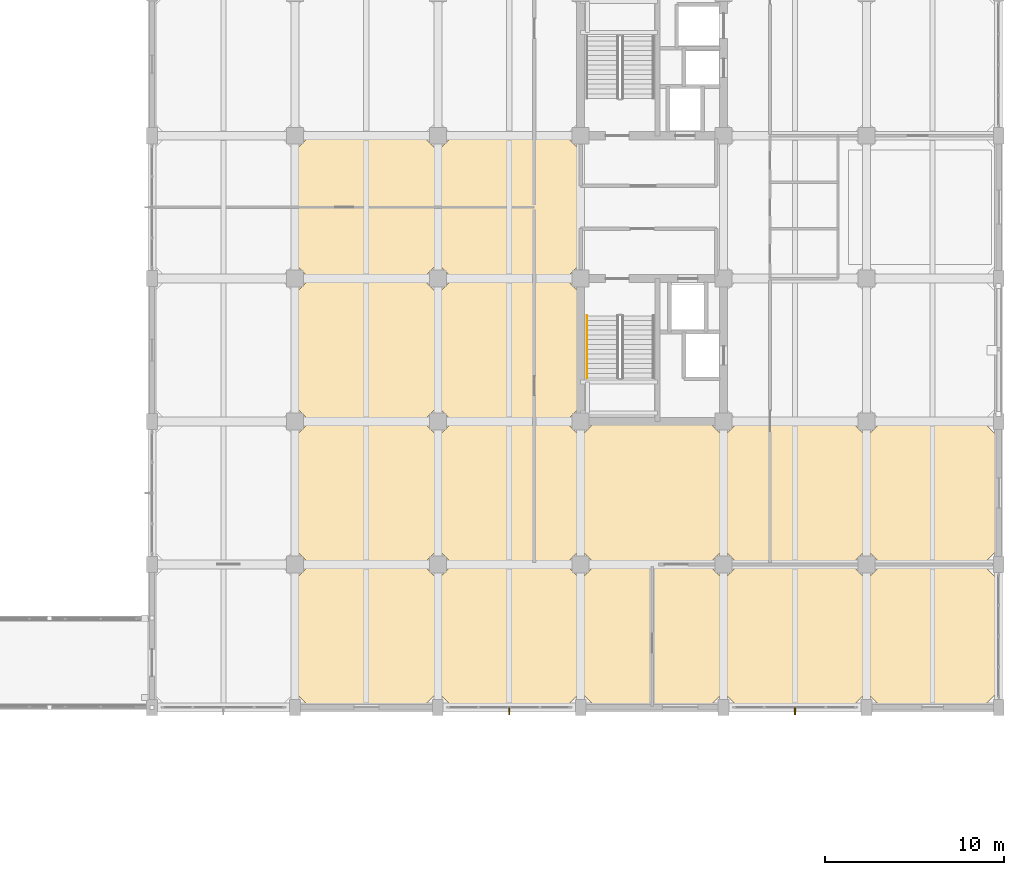
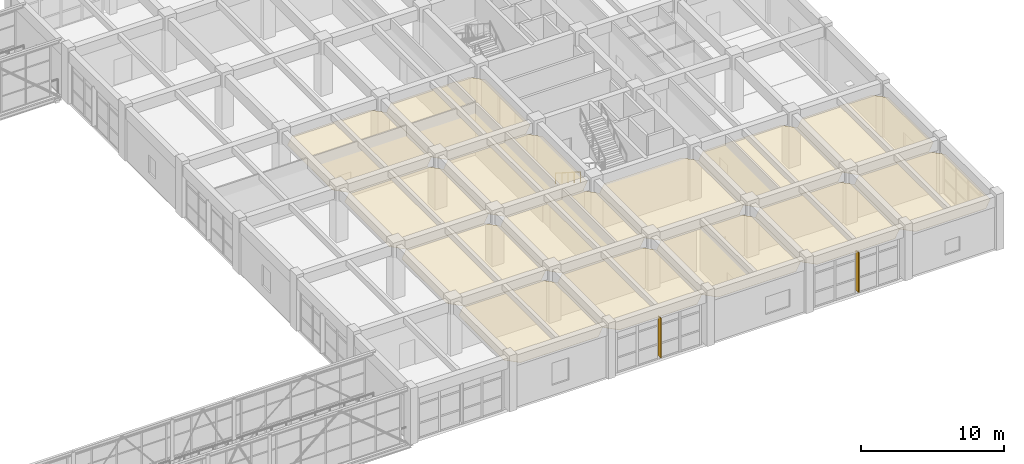
# One storey, part 245 of 248: 14 coverings, 2 shading devices, 1 railing.
"""IFC4 building model written with IfcOpenShell, lengths in metres."""

from ifc_helpers import new_model, si_unit, direction, frame, origin, origin_2d, place, context, subcontext, project, spatial, polyline, rectangle, circle, outline, extrude, material, layer, layer_set, type_object, element, save


model = new_model("IFC4")

# Units and contexts
model_context = context("Model", 3, precision=1e-05, world=origin(), true_north=direction((0.0, 1.0)))
body_context = subcontext(model_context, "Body", "Model", "MODEL_VIEW")
ifc_project = project(units=[si_unit("LENGTHUNIT", "METRE"), si_unit("AREAUNIT", "SQUARE_METRE"), si_unit("VOLUMEUNIT", "CUBIC_METRE"), si_unit("PLANEANGLEUNIT", "RADIAN"), si_unit("MASSUNIT", "GRAM", prefix="KILO")], contexts=[model_context])

# Site, building, storey
site_placement = place(None, origin())
site = spatial("IfcSite", under=ifc_project, at=site_placement, CompositionType="ELEMENT")
building_placement = place(site_placement, origin())
building = spatial("IfcBuilding", under=site, at=building_placement, Name="Canggui Botanical Conservatory", CompositionType="ELEMENT")
storey_placement = place(building_placement, frame((0.0, 0.0, 5.39990234375)))
storey = spatial("IfcBuildingStorey", under=building, at=storey_placement, Name="L02", CompositionType="ELEMENT", Elevation=5.39990234375)

# Coverings
ifc_material_1 = material(Name="Mineral Fibre Acoustic Board")
ifc_layer_1 = layer(ifc_material_1, 0.014892578125, Name="Mineral Fibre Acoustic Board")
ifc_layer_set_1 = layer_set([ifc_layer_1], Name="Mineral Fibre Acoustic Board")
covering_type_1 = type_object("IfcCoveringType", Name="COV-CEIL-15", PredefinedType="CEILING", material=ifc_layer_set_1)
covering_1_placement = place(storey_placement, frame((0.0, 0.0, 3.55517578125)))
element("IfcCovering", 1, at=covering_1_placement, inside=storey, type_object=covering_type_1, Name="Suspended Acoustic Ceiling L02-138-26", PredefinedType="CEILING", context=body_context, shape_type="SweptSolid", body=[
    extrude(outline(polyline([(138.85009765625, 26.0), (145.14990234375, 26.0), (146.0, 26.85009765625), (146.0, 33.14990234375), (145.14990234375, 34.0), (138.85009765625, 34.0), (138.0, 33.14990234375), (138.0, 26.85009765625), (138.85009765625, 26.0)])), origin(), (0.0, 0.0, 1.0), 0.014892578125),
])
covering_2_placement = place(storey_placement, frame((0.0, 0.0, 3.55517578125)))
element("IfcCovering", 2, at=covering_2_placement, inside=storey, type_object=covering_type_1, Name="Suspended Acoustic Ceiling L02-138-42", PredefinedType="CEILING", context=body_context, shape_type="SweptSolid", body=[
    extrude(outline(polyline([(138.85009765625, 42.0), (145.14990234375, 42.0), (146.0, 42.85009765625), (146.0, 49.14990234375), (145.14990234375, 50.0), (138.85009765625, 50.0), (138.0, 49.14990234375), (138.0, 42.85009765625), (138.85009765625, 42.0)])), origin(), (0.0, 0.0, 1.0), 0.014892578125),
])
covering_3_placement = place(storey_placement, frame((0.0, 0.0, 3.55517578125)))
element("IfcCovering", 3, at=covering_3_placement, inside=storey, type_object=covering_type_1, Name="Suspended Acoustic Ceiling L02-146-34", PredefinedType="CEILING", context=body_context, shape_type="SweptSolid", body=[
    extrude(outline(polyline([(146.85009765625, 34.0), (153.14990234375, 34.0), (154.0, 34.85009765625), (154.0, 41.14990234375), (153.14990234375, 42.0), (146.85009765625, 42.0), (146.0, 41.14990234375), (146.0, 34.85009765625), (146.85009765625, 34.0)])), origin(), (0.0, 0.0, 1.0), 0.014892578125),
])
covering_4_placement = place(storey_placement, frame((0.0, 0.0, 3.55517578125)))
element("IfcCovering", 4, at=covering_4_placement, inside=storey, type_object=covering_type_1, Name="Suspended Acoustic Ceiling L02-146-50", PredefinedType="CEILING", context=body_context, shape_type="SweptSolid", body=[
    extrude(outline(polyline([(146.85009765625, 50.0), (153.14990234375, 50.0), (154.0, 50.85009765625), (154.0, 57.14990234375), (153.14990234375, 58.0), (146.85009765625, 58.0), (146.0, 57.14990234375), (146.0, 50.85009765625), (146.85009765625, 50.0)])), origin(), (0.0, 0.0, 1.0), 0.014892578125),
])
covering_5_placement = place(storey_placement, frame((0.0, 0.0, 3.55517578125)))
element("IfcCovering", 5, at=covering_5_placement, inside=storey, type_object=covering_type_1, Name="Suspended Acoustic Ceiling L02-154-26", PredefinedType="CEILING", context=body_context, shape_type="SweptSolid", body=[
    extrude(outline(polyline([(154.85009765625, 26.0), (161.14990234375, 26.0), (162.0, 26.85009765625), (162.0, 33.14990234375), (161.14990234375, 34.0), (154.85009765625, 34.0), (154.0, 33.14990234375), (154.0, 26.85009765625), (154.85009765625, 26.0)])), origin(), (0.0, 0.0, 1.0), 0.014892578125),
])
covering_6_placement = place(storey_placement, frame((0.0, 0.0, 3.55517578125)))
element("IfcCovering", 6, at=covering_6_placement, inside=storey, type_object=covering_type_1, Name="Suspended Acoustic Ceiling L02-162-34", PredefinedType="CEILING", context=body_context, shape_type="SweptSolid", body=[
    extrude(outline(polyline([(162.85009765625, 34.0), (169.14990234375, 34.0), (170.0, 34.85009765625), (170.0, 41.14990234375), (169.14990234375, 42.0), (162.85009765625, 42.0), (162.0, 41.14990234375), (162.0, 34.85009765625), (162.85009765625, 34.0)])), origin(), (0.0, 0.0, 1.0), 0.014892578125),
])
covering_7_placement = place(storey_placement, frame((0.0, 0.0, 3.55517578125)))
element("IfcCovering", 7, at=covering_7_placement, inside=storey, type_object=covering_type_1, Name="Suspended Acoustic Ceiling L02-170-26", PredefinedType="CEILING", context=body_context, shape_type="SweptSolid", body=[
    extrude(outline(polyline([(170.85009765625, 26.0), (176.5, 26.0), (177.35009765625, 26.85009765625), (177.35009765625, 33.14990234375), (176.5, 34.0), (170.85009765625, 34.0), (170.0, 33.14990234375), (170.0, 26.85009765625), (170.85009765625, 26.0)])), origin(), (0.0, 0.0, 1.0), 0.014892578125),
])
ifc_material_2 = material(Name="Perforated Gypsum Acoustic Panel")
ifc_layer_2 = layer(ifc_material_2, 0.02001953125, Name="Perforated Gypsum Acoustic Panel")
ifc_layer_set_2 = layer_set([ifc_layer_2], Name="Perforated Gypsum Acoustic Panel")
covering_type_2 = type_object("IfcCoveringType", Name="COV-CEIL-20", PredefinedType="CEILING", material=ifc_layer_set_2)
covering_8_placement = place(storey_placement, frame((0.0, 0.0, 3.550048828125)))
element("IfcCovering", 8, at=covering_8_placement, inside=storey, type_object=covering_type_2, Name="Suspended Acoustic Ceiling L02-138-34", PredefinedType="CEILING", context=body_context, shape_type="SweptSolid", body=[
    extrude(outline(polyline([(138.85009765625, 34.0), (145.14990234375, 34.0), (146.0, 34.85009765625), (146.0, 41.14990234375), (145.14990234375, 42.0), (138.85009765625, 42.0), (138.0, 41.14990234375), (138.0, 34.85009765625), (138.85009765625, 34.0)])), origin(), (0.0, 0.0, 1.0), 0.02001953125),
])
covering_9_placement = place(storey_placement, frame((0.0, 0.0, 3.550048828125)))
element("IfcCovering", 9, at=covering_9_placement, inside=storey, type_object=covering_type_2, Name="Suspended Acoustic Ceiling L02-138-50", PredefinedType="CEILING", context=body_context, shape_type="SweptSolid", body=[
    extrude(outline(polyline([(138.85009765625, 50.0), (145.14990234375, 50.0), (146.0, 50.85009765625), (146.0, 57.14990234375), (145.14990234375, 58.0), (138.85009765625, 58.0), (138.0, 57.14990234375), (138.0, 50.85009765625), (138.85009765625, 50.0)])), origin(), (0.0, 0.0, 1.0), 0.02001953125),
])
covering_10_placement = place(storey_placement, frame((0.0, 0.0, 3.550048828125)))
element("IfcCovering", 10, at=covering_10_placement, inside=storey, type_object=covering_type_2, Name="Suspended Acoustic Ceiling L02-146-26", PredefinedType="CEILING", context=body_context, shape_type="SweptSolid", body=[
    extrude(outline(polyline([(146.85009765625, 26.0), (153.14990234375, 26.0), (154.0, 26.85009765625), (154.0, 33.14990234375), (153.14990234375, 34.0), (146.85009765625, 34.0), (146.0, 33.14990234375), (146.0, 26.85009765625), (146.85009765625, 26.0)])), origin(), (0.0, 0.0, 1.0), 0.02001953125),
])
covering_11_placement = place(storey_placement, frame((0.0, 0.0, 3.550048828125)))
element("IfcCovering", 11, at=covering_11_placement, inside=storey, type_object=covering_type_2, Name="Suspended Acoustic Ceiling L02-146-42", PredefinedType="CEILING", context=body_context, shape_type="SweptSolid", body=[
    extrude(outline(polyline([(146.85009765625, 42.0), (153.14990234375, 42.0), (154.0, 42.85009765625), (154.0, 49.14990234375), (153.14990234375, 50.0), (146.85009765625, 50.0), (146.0, 49.14990234375), (146.0, 42.85009765625), (146.85009765625, 42.0)])), origin(), (0.0, 0.0, 1.0), 0.02001953125),
])
covering_12_placement = place(storey_placement, frame((0.0, 0.0, 3.550048828125)))
element("IfcCovering", 12, at=covering_12_placement, inside=storey, type_object=covering_type_2, Name="Suspended Acoustic Ceiling L02-154-34", PredefinedType="CEILING", context=body_context, shape_type="SweptSolid", body=[
    extrude(outline(polyline([(154.85009765625, 34.0), (161.14990234375, 34.0), (162.0, 34.85009765625), (162.0, 41.14990234375), (161.14990234375, 42.0), (154.85009765625, 42.0), (154.0, 41.14990234375), (154.0, 34.85009765625), (154.85009765625, 34.0)])), origin(), (0.0, 0.0, 1.0), 0.02001953125),
])
covering_13_placement = place(storey_placement, frame((0.0, 0.0, 3.550048828125)))
element("IfcCovering", 13, at=covering_13_placement, inside=storey, type_object=covering_type_2, Name="Suspended Acoustic Ceiling L02-162-26", PredefinedType="CEILING", context=body_context, shape_type="SweptSolid", body=[
    extrude(outline(polyline([(162.85009765625, 26.0), (169.14990234375, 26.0), (170.0, 26.85009765625), (170.0, 33.14990234375), (169.14990234375, 34.0), (162.85009765625, 34.0), (162.0, 33.14990234375), (162.0, 26.85009765625), (162.85009765625, 26.0)])), origin(), (0.0, 0.0, 1.0), 0.02001953125),
])
covering_14_placement = place(storey_placement, frame((0.0, 0.0, 3.550048828125)))
element("IfcCovering", 14, at=covering_14_placement, inside=storey, type_object=covering_type_2, Name="Suspended Acoustic Ceiling L02-170-34", PredefinedType="CEILING", context=body_context, shape_type="SweptSolid", body=[
    extrude(outline(polyline([(170.85009765625, 34.0), (176.5, 34.0), (177.35009765625, 34.85009765625), (177.35009765625, 41.14990234375), (176.5, 42.0), (170.85009765625, 42.0), (170.0, 41.14990234375), (170.0, 34.85009765625), (170.85009765625, 34.0)])), origin(), (0.0, 0.0, 1.0), 0.02001953125),
])

# Railing
ifc_material_3 = material(Name="Stainless Steel 304", Category="steel")
railing_type = type_object("IfcRailingType", Name="RAIL-HAND-900", PredefinedType="HANDRAIL", material=ifc_material_3)
railing_placement = place(storey_placement, frame((154.35009765625, 47.919921875, 0.171630859375)))
element("IfcRailing", 15, at=railing_placement, inside=storey, type_object=railing_type, Name="L02 ST-T1 stair handrail 1", PredefinedType="HANDRAIL", context=body_context, shape_type="SweptSolid", body=[
    extrude(circle(Radius=0.02392578125, at=origin_2d()), frame((0.0, 0.0, 0.8759765625), z_axis=(0.0, -0.842400029615, 0.53885266085), x_axis=(1.0, 0.0, 0.0)), (0.0, 0.0, 1.0), 4.1357421875),
    extrude(circle(Radius=0.02099609375, at=origin_2d()), origin(), (0.0, 0.0, 1.0), 0.851806640625),
    extrude(circle(Radius=0.02099609375, at=origin_2d()), frame((0.0, -0.87109375, 0.55712890625)), (0.0, 0.0, 1.0), 0.851806640625),
    extrude(circle(Radius=0.02099609375, at=origin_2d()), frame((0.0, -1.741943359375, 1.1142578125)), (0.0, 0.0, 1.0), 0.851806640625),
    extrude(circle(Radius=0.02099609375, at=origin_2d()), frame((0.0, -2.61279296875, 1.67138671875)), (0.0, 0.0, 1.0), 0.851806640625),
    extrude(circle(Radius=0.02099609375, at=origin_2d()), frame((0.0, -3.48388671875, 2.228515625)), (0.0, 0.0, 1.0), 0.851806640625),
])

# Shading devices
ifc_material_4 = material(Name="Anodised Aluminium", Category="aluminium")
shading_device_type = type_object("IfcShadingDeviceType", Name="SHD-FIN01", PredefinedType="AWNING", material=ifc_material_4)
for number, where, z_axis, x_axis, name in (
    (16, (166.0, 25.804931640625, 0.300048828125), (0.0, 0.0, 1.0), (-1.0, 0.0, 0.0), "Solar Shading Fin CW-TWR-L02-02"),
    (17, (150.0, 25.804931640625, 0.300048828125), (0.0, 0.0, 1.0), (-1.0, 0.0, 0.0), "Solar Shading Fin CW-TWR-L02-04"),
):
    element("IfcShadingDevice", number, at=place(storey_placement, frame(where, z_axis=z_axis, x_axis=x_axis)), inside=storey, type_object=shading_device_type, Name=name, PredefinedType="AWNING", context=body_context, shape_type="SweptSolid", body=[
        extrude(rectangle(XDim=0.06005859375, YDim=0.419921875, at=origin_2d()), origin(), (0.0, 0.0, 1.0), 3.39990234375),
    ])

save(model, "model.ifc")
